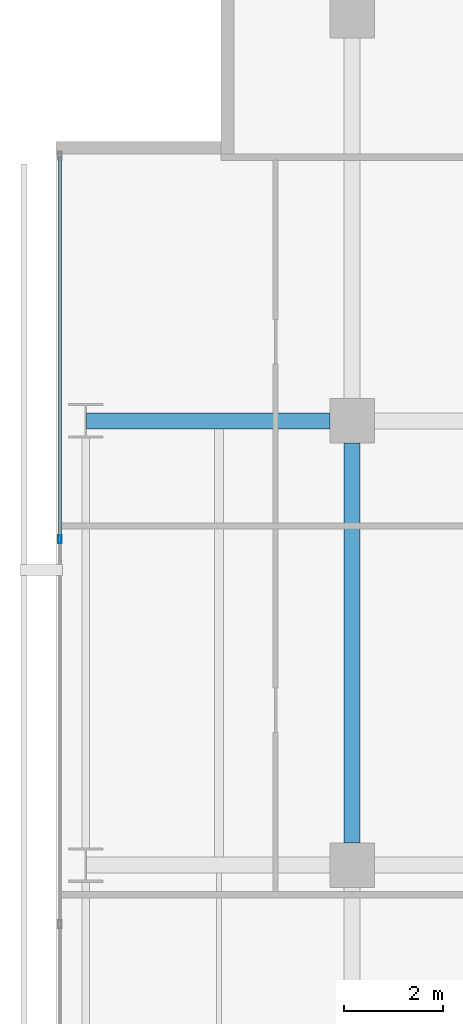
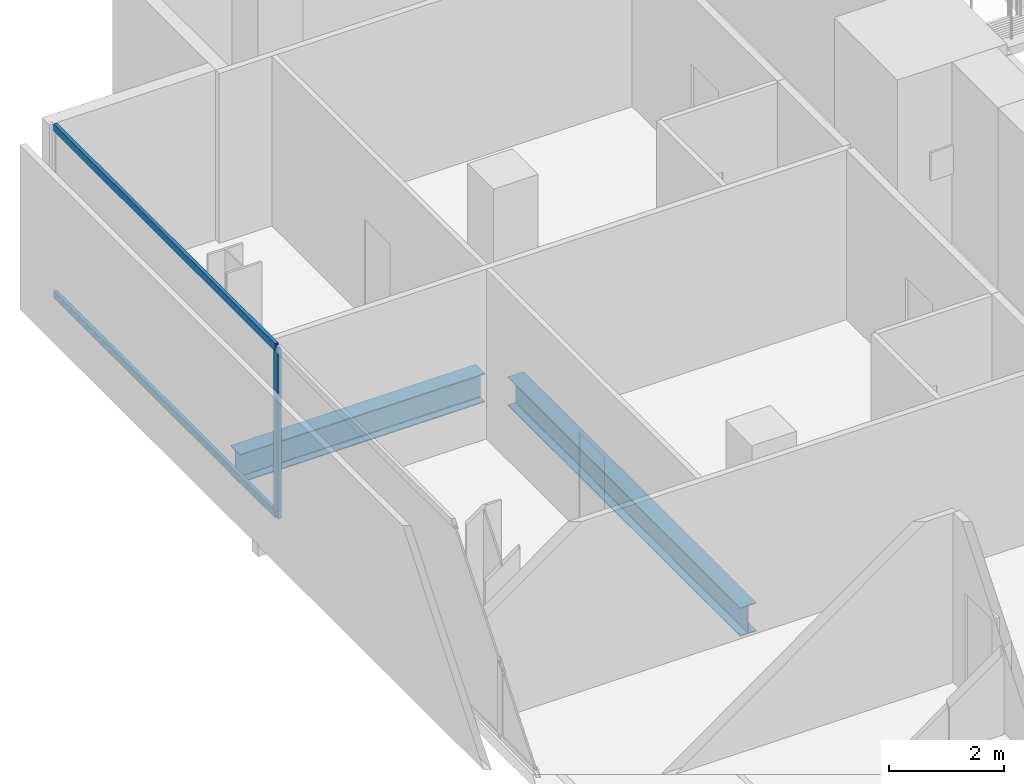
# One storey, part 23 of 40: 3 members, 2 beams, 1 element without a shape of its own.
"""IFC4 building model written with IfcOpenShell, lengths in metres."""

from ifc_helpers import new_model, si_unit, direction, frame, origin, origin_2d, place, context, subcontext, project, spatial, hollow_rectangle, i_section, extrude, material, layer, layer_set, material_profile, profile_set, type_object, element, aggregate, save


model = new_model("IFC4")

# Units and contexts
model_context = context("Model", 3, precision=1e-05, world=origin(), true_north=direction((0.0, 1.0)))
body_context = subcontext(model_context, "Body", "Model", "MODEL_VIEW")
ifc_project = project(units=[si_unit("LENGTHUNIT", "METRE"), si_unit("AREAUNIT", "SQUARE_METRE"), si_unit("VOLUMEUNIT", "CUBIC_METRE"), si_unit("PLANEANGLEUNIT", "RADIAN"), si_unit("MASSUNIT", "GRAM", prefix="KILO")], contexts=[model_context])

# Site, building, storey
site_placement = place(None, origin())
site = spatial("IfcSite", under=ifc_project, at=site_placement, CompositionType="ELEMENT")
building_placement = place(site_placement, origin())
building = spatial("IfcBuilding", under=site, at=building_placement, Name="Maruvema Waterfront Hotel and Observation Tower", CompositionType="ELEMENT")
storey_placement = place(building_placement, frame((0.0, 0.0, 107.800048828125)))
storey = spatial("IfcBuildingStorey", under=building, at=storey_placement, Name="L26", CompositionType="ELEMENT", Elevation=107.800048828125)

# Curtain wall, members
ifc_material_1 = material(Name="Anodised bronze aluminium and solar-control low-E IGU", Category="aluminium")
ifc_layer = layer(ifc_material_1, 0.159912109375, Name="Zone 1 Bronze Inner Thermal Curtain Wall System CW-02")
ifc_layer_set = layer_set([ifc_layer], Name="Anodised bronze aluminium and solar-control low-E IGU")
curtain_wall_type = type_object("IfcCurtainWallType", Name="Zone 1 Bronze Inner Thermal Curtain Wall System CW-02", PredefinedType="USERDEFINED", material=ifc_layer_set)
curtain_wall_placement = place(storey_placement, origin())
curtain_wall = element("IfcCurtainWall", 1, at=curtain_wall_placement, inside=storey, type_object=curtain_wall_type, Name="L26 Curtain Wall CW-L26-W", ObjectType="UNITISED CURTAIN WALL", PredefinedType="USERDEFINED")
ifc_material_2 = material(Name="Anodised architectural bronze aluminium", Category="aluminium")
ifc_material_profile_1 = material_profile(ifc_material_2, hollow_rectangle(XDim=0.070068359375, YDim=0.14990234375, WallThickness=0.00390625, at=origin_2d()), Name="ALU-T70x150")
ifc_profile_set_1 = profile_set([ifc_material_profile_1], Name="Anodised architectural bronze aluminium")
member_type_1 = type_object("IfcMemberType", Name="Curtain Wall Horizontal Transom ALU-T70x150", PredefinedType="USERDEFINED", material=ifc_profile_set_1)
member_1_placement = place(storey_placement, frame((10.8798828125, 50.340087890625, 0.030029296875), z_axis=(0.0, -1.0, 0.0), x_axis=(1.0, 0.0, 0.0)))
member_1 = element("IfcMember", 2, at=member_1_placement, type_object=member_type_1, Name="CW-02 transom 1.1", ObjectType="TRANSOM", PredefinedType="USERDEFINED", context=body_context, shape_type="SweptSolid", body=[
    extrude(hollow_rectangle(XDim=0.070068359375, YDim=0.14990234375, WallThickness=0.00390625, at=origin_2d()), origin(), (0.0, 0.0, 1.0), 7.710205078125),
])
member_2_placement = place(storey_placement, frame((10.8798828125, 50.340087890625, 3.579833984375), z_axis=(0.0, -1.0, 0.0), x_axis=(1.0, 0.0, 0.0)))
member_2 = element("IfcMember", 3, at=member_2_placement, type_object=member_type_1, Name="CW-02 transom 1.2", ObjectType="TRANSOM", PredefinedType="USERDEFINED", context=body_context, shape_type="SweptSolid", body=[
    extrude(hollow_rectangle(XDim=0.070068359375, YDim=0.14990234375, WallThickness=0.00390625, at=origin_2d()), origin(), (0.0, 0.0, 1.0), 7.710205078125),
])
ifc_material_3 = material(Name="Anodised architectural bronze aluminium", Category="aluminium")
ifc_material_profile_2 = material_profile(ifc_material_3, hollow_rectangle(XDim=0.06494140625, YDim=0.1650390625, WallThickness=0.00390625, at=origin_2d()), Name="ALU-M65x165")
ifc_profile_set_2 = profile_set([ifc_material_profile_2], Name="Anodised architectural bronze aluminium")
member_type_2 = type_object("IfcMemberType", Name="Curtain Wall Primary Mullion ALU-M65x165", PredefinedType="MULLION", material=ifc_profile_set_2)
member_3_placement = place(storey_placement, frame((10.8798828125, 42.60009765625, 0.0), z_axis=(0.0, 0.0, 1.0), x_axis=(1.0, 0.0, 0.0)))
member_3 = element("IfcMember", 4, at=member_3_placement, type_object=member_type_2, Name="CW-02 mullion 2", PredefinedType="MULLION", context=body_context, shape_type="SweptSolid", body=[
    extrude(hollow_rectangle(XDim=0.06494140625, YDim=0.1650390625, WallThickness=0.00390625, at=origin_2d()), origin(), (0.0, 0.0, 1.0), 3.60986328125),
])
aggregate(curtain_wall, [member_3, member_1, member_2])

# Beams
ifc_material_4 = material(Name="Steel ASTM A572 Grade 50", Category="steel")
ifc_material_profile_3 = material_profile(ifc_material_4, i_section(OverallWidth=0.323974609375, OverallDepth=0.611083984375, WebThickness=0.0126953125, FlangeThickness=0.01904296875, FilletRadius=0.01806640625, at=origin_2d()), Name="W610x155.0")
ifc_profile_set_3 = profile_set([ifc_material_profile_3], Name="Steel ASTM A572 Grade 50")
beam_type = type_object("IfcBeamType", Name="Primary Floor Girder W610x155.0", PredefinedType="BEAM", material=ifc_profile_set_3)
beam_1_placement = place(storey_placement, frame((11.4140625, 45.0, -0.545654296875), z_axis=(1.0, 0.0, 0.0), x_axis=(0.0, 1.0, 0.0)))
element("IfcBeam", 5, at=beam_1_placement, inside=storey, type_object=beam_type, Name="L26 Floor Girder EW-32", PredefinedType="BEAM", context=body_context, shape_type="SweptSolid", body=[
    extrude(i_section(OverallWidth=0.323974609375, OverallDepth=0.611083984375, WebThickness=0.0126953125, FlangeThickness=0.01904296875, FilletRadius=0.01806640625, at=origin_2d()), origin(), (0.0, 0.0, 1.0), 4.93603515625),
])
beam_2_placement = place(storey_placement, frame((16.800048828125, 36.449951171875, -0.545654296875), z_axis=(0.0, 1.0, 0.0), x_axis=(-1.0, 0.0, 0.0)))
element("IfcBeam", 6, at=beam_2_placement, inside=storey, type_object=beam_type, Name="L26 Floor Girder NS-09", PredefinedType="BEAM", context=body_context, shape_type="SweptSolid", body=[
    extrude(i_section(OverallWidth=0.323974609375, OverallDepth=0.611083984375, WebThickness=0.0126953125, FlangeThickness=0.01904296875, FilletRadius=0.01806640625, at=origin_2d()), origin(), (0.0, 0.0, 1.0), 8.10009765625),
])

save(model, "model.ifc")
